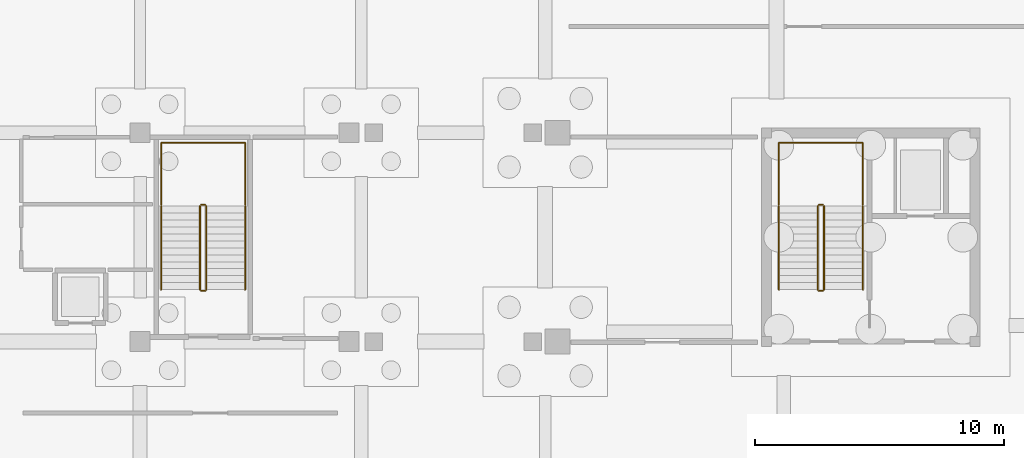
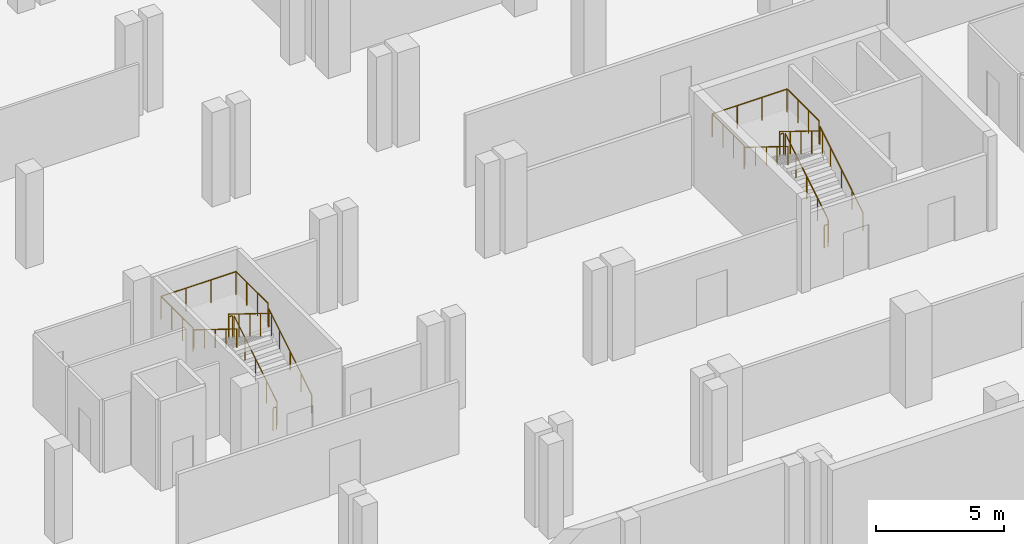
# One storey, part 15 of 17: 14 railings.
"""IFC4 building model written with IfcOpenShell, lengths in metres."""

import ifcopenshell
import ifcopenshell.guid

model = None  # the IFC model being written
_history = None  # IfcOwnerHistory: only IFC2X3 demands one
_inside = {}  # id of a spatial element -> (the spatial element, [elements in it])
_under = {}  # id of a project, library or spatial element -> (it, [spatial elements below it])
_declared = {}  # id of a project -> (the project, [libraries it declares])
_typed = {}  # id of a type object -> (the type object, [elements of that type])
_made_of = {}  # id of a material, layer set ... -> (it, [elements and type objects made of it])


def new_model(schema):
    """Start an empty IFC model of exactly this schema.

    Asked for "IFC4X3", IfcOpenShell would pick the latest addendum, in which some entities
    have other attributes; the version numbers below select the first issue.
    IFC2X3 requires an IfcOwnerHistory on every rooted entity: one is made here for all.
    """
    global model, _history
    if schema == "IFC4X3":
        model = ifcopenshell.file(schema_version=(4, 3, 0, 0))
    else:
        model = ifcopenshell.file(schema=schema)
    _inside.clear()
    _under.clear()
    _declared.clear()
    _typed.clear()
    _made_of.clear()
    _history = None
    if model.schema == "IFC2X3":
        org = make("IfcOrganization", Name="unknown")
        user = make(
            "IfcPersonAndOrganization",
            ThePerson=make("IfcPerson", FamilyName="unknown"),
            TheOrganization=org,
        )
        app = make(
            "IfcApplication",
            ApplicationDeveloper=org,
            Version="unknown",
            ApplicationFullName="unknown",
            ApplicationIdentifier="unknown",
        )
        _history = make(
            "IfcOwnerHistory",
            OwningUser=user,
            OwningApplication=app,
            ChangeAction="ADDED",
            CreationDate=0,
        )
    return model


def make(cls, **values):
    """One entity of the class cls with the attributes given. An attribute that is None is left unset."""
    return model.create_entity(
        cls, **{name: value for name, value in values.items() if value is not None}
    )


def rooted(cls, **values):
    """An entity with a GlobalId (a new one), such as an element, a storey or a relation."""
    return make(cls, GlobalId=ifcopenshell.guid.new(), OwnerHistory=_history, **values)


def si_unit(unit_type, name, prefix=None):
    """IfcSIUnit, for example si_unit("LENGTHUNIT", "METRE", prefix="MILLI")."""
    return make("IfcSIUnit", UnitType=unit_type, Prefix=prefix, Name=name)


def assignment(units):
    """IfcUnitAssignment: the units of a project."""
    return None if units is None else make("IfcUnitAssignment", Units=units)


def point(xyz):
    """IfcCartesianPoint."""
    return None if xyz is None else make("IfcCartesianPoint", Coordinates=xyz)


def direction(xyz):
    """IfcDirection."""
    return None if xyz is None else make("IfcDirection", DirectionRatios=xyz)


def frame(location, z_axis=None, x_axis=None):
    """IfcAxis2Placement3D, a coordinate frame: its origin and axes. An axis left out is left unset."""
    return make(
        "IfcAxis2Placement3D",
        Location=point(location),
        Axis=direction(z_axis),
        RefDirection=direction(x_axis),
    )


def frame_2d(location, x_axis=None):
    """IfcAxis2Placement2D, a coordinate frame in the plane: its origin and x axis."""
    return make(
        "IfcAxis2Placement2D", Location=point(location), RefDirection=direction(x_axis)
    )


def origin():
    """The frame at (0, 0, 0) with its axes left unset."""
    return frame((0.0, 0.0, 0.0))


def origin_2d():
    """The frame at (0, 0) in the plane with its x axis left unset."""
    return frame_2d((0.0, 0.0))


def place(relative_to, where):
    """IfcLocalPlacement: puts the frame where relative to a parent placement (None: the world)."""
    return make(
        "IfcLocalPlacement", PlacementRelTo=relative_to, RelativePlacement=where
    )


def context(
    kind, dimensions, precision=None, world=None, true_north=None, identifier=None
):
    """IfcGeometricRepresentationContext, for example the 3D "Model" context."""
    return make(
        "IfcGeometricRepresentationContext",
        ContextIdentifier=identifier,
        ContextType=kind,
        CoordinateSpaceDimension=dimensions,
        Precision=precision,
        WorldCoordinateSystem=world,
        TrueNorth=true_north,
    )


def subcontext(parent, identifier, kind, view, scale=None):
    """IfcGeometricRepresentationSubContext, for example "Body" below "Model"."""
    return make(
        "IfcGeometricRepresentationSubContext",
        ContextIdentifier=identifier,
        ContextType=kind,
        ParentContext=parent,
        TargetScale=scale,
        TargetView=view,
    )


def project(units=None, contexts=None):
    """IfcProject with its units and contexts."""
    return rooted(
        "IfcProject",
        Name="project",
        RepresentationContexts=contexts,
        UnitsInContext=assignment(units),
    )


def spatial(cls, under=None, at=None, **own):
    """A site, building, storey or space (cls), placed at a placement, below another one or the project."""
    s = rooted(cls, ObjectPlacement=at, **own)
    if under is not None:
        _under.setdefault(under.id(), (under, []))[1].append(s)
    return s


def profile(cls, at=None, kind="AREA", **sizes):
    """A parametric profile (cls). Its sizes go by their IFC names, for example OverallWidth=200.0."""
    return make(cls, ProfileType=kind, Position=at, **sizes)


def circle(**sizes):
    """IfcCircleProfileDef."""
    return profile("IfcCircleProfileDef", **sizes)


def extrude(swept, where, along, depth):
    """IfcExtrudedAreaSolid: the profile swept, set in the frame where, extruded along a direction by depth."""
    return make(
        "IfcExtrudedAreaSolid",
        SweptArea=swept,
        Position=where,
        ExtrudedDirection=direction(along),
        Depth=depth,
    )


def shape(context_of_items, identifier, shape_type, items):
    """IfcShapeRepresentation: the items that make up one representation, for example the "Body"."""
    return make(
        "IfcShapeRepresentation",
        ContextOfItems=context_of_items,
        RepresentationIdentifier=identifier,
        RepresentationType=shape_type,
        Items=items,
    )


def material(Name=None, Category=None):
    """IfcMaterial."""
    return make("IfcMaterial", Name=Name, Category=Category)


def made_of(thing, what):
    """Note that an element or type object is made of a material, layer set ...; save() writes the relation."""
    if what is not None:
        _made_of.setdefault(what.id(), (what, []))[1].append(thing)
    return thing


def type_object(cls, material=None, **own):
    """A type object (cls), such as IfcWallType, which elements share."""
    return made_of(rooted(cls, **own), material)


def element(
    cls,
    number,
    at=None,
    inside=None,
    cuts=None,
    type_object=None,
    material=None,
    context=None,
    identifier="Body",
    shape_type=None,
    held_by="IfcProductDefinitionShape",
    body=None,
    shapes=None,
    **own,
):
    """One element of the class cls, such as IfcWall. Its Tag is "e" and its number.

    at: its placement. inside: the storey or other place that contains it. cuts: it is an
    opening in that element (IfcRelVoidsElement). A single representation is given by context,
    identifier, shape_type and body (its items); several are given by shapes. held_by: the class
    of the entity that holds the representations. save() writes the other relations.
    """
    e = rooted(cls, Tag="e%d" % number, ObjectPlacement=at, **own)
    if body is not None:
        shapes = [shape(context, identifier, shape_type, body)]
    if shapes is not None:
        e.Representation = make(held_by, Representations=shapes)
    if inside is not None:
        _inside.setdefault(inside.id(), (inside, []))[1].append(e)
    if cuts is not None:
        rooted(
            "IfcRelVoidsElement", RelatingBuildingElement=cuts, RelatedOpeningElement=e
        )
    if type_object is not None:
        _typed.setdefault(type_object.id(), (type_object, []))[1].append(e)
    return made_of(e, material)


def aggregate(whole, parts):
    """IfcRelAggregates: a whole, such as a stair, and the parts it consists of."""
    return rooted("IfcRelAggregates", RelatingObject=whole, RelatedObjects=parts)


def save(model, path):
    """Write the relations noted so far, then the file.

    IfcRelAggregates (storeys below a building ...), IfcRelContainedInSpatialStructure (elements
    in a storey), IfcRelDefinesByType, IfcRelAssociatesMaterial and IfcRelDeclares: one each for
    every whole, place, type object, material and project.
    """
    for whole, parts in _under.values():
        aggregate(whole, parts)
    for where, things in _inside.values():
        rooted(
            "IfcRelContainedInSpatialStructure",
            RelatedElements=things,
            RelatingStructure=where,
        )
    for kind, things in _typed.values():
        rooted("IfcRelDefinesByType", RelatedObjects=things, RelatingType=kind)
    for what, things in _made_of.values():
        rooted("IfcRelAssociatesMaterial", RelatedObjects=things, RelatingMaterial=what)
    for by, libraries in _declared.values():
        rooted("IfcRelDeclares", RelatingContext=by, RelatedDefinitions=libraries)
    model.write(path)


model = new_model("IFC4")

# Units and contexts
model_context = context("Model", 3, precision=1e-05, world=origin(), true_north=direction((0.0, 1.0)))
body_context = subcontext(model_context, "Body", "Model", "MODEL_VIEW")
ifc_project = project(units=[si_unit("LENGTHUNIT", "METRE"), si_unit("AREAUNIT", "SQUARE_METRE"), si_unit("VOLUMEUNIT", "CUBIC_METRE"), si_unit("PLANEANGLEUNIT", "RADIAN"), si_unit("MASSUNIT", "GRAM", prefix="KILO")], contexts=[model_context])

# Site, building, storey
site_placement = place(None, origin())
site = spatial("IfcSite", under=ifc_project, at=site_placement, CompositionType="ELEMENT")
building_placement = place(site_placement, origin())
building = spatial("IfcBuilding", under=site, at=building_placement, Name="Telukmera Botanical Conservatory", CompositionType="ELEMENT")
storey_placement = place(building_placement, frame((0.0, 0.0, -4.5)))
storey = spatial("IfcBuildingStorey", under=building, at=storey_placement, Name="B1", CompositionType="ELEMENT", Elevation=-4.5)

# Railings
ifc_material_1 = material(Name="Steel S355", Category="steel")
railing_type_1 = type_object("IfcRailingType", Name="RL-GUARD-1100", PredefinedType="GUARDRAIL", material=ifc_material_1)
railing_1_placement = place(storey_placement, frame((61.1201171875, 28.090087890625, 0.173095703125)))
element("IfcRailing", 1, at=railing_1_placement, inside=storey, type_object=railing_type_1, Name="B1 ST1 stair guard 1", PredefinedType="GUARDRAIL", context=body_context, shape_type="SweptSolid", body=[
    extrude(circle(Radius=0.02392578125, at=origin_2d()), frame((0.0, 0.0, 1.076171875), z_axis=(0.0, 0.850606129759, 0.525803396734), x_axis=(-1.0, 0.0, 0.0)), (0.0, 0.0, 1.0), 3.949951171875),
    extrude(circle(Radius=0.02099609375, at=origin_2d()), origin(), (0.0, 0.0, 1.0), 1.052001953125),
    extrude(circle(Radius=0.02099609375, at=origin_2d()), frame((0.0, 0.83984375, 0.519287109375)), (0.0, 0.0, 1.0), 1.052001953125),
    extrude(circle(Radius=0.02099609375, at=origin_2d()), frame((0.0, 1.679931640625, 1.03857421875)), (0.0, 0.0, 1.0), 1.052001953125),
    extrude(circle(Radius=0.02099609375, at=origin_2d()), frame((0.0, 2.52001953125, 1.5576171875)), (0.0, 0.0, 1.0), 1.052001953125),
    extrude(circle(Radius=0.02099609375, at=origin_2d()), frame((0.0, 3.35986328125, 2.076904296875)), (0.0, 0.0, 1.0), 1.052001953125),
])
railing_2_placement = place(storey_placement, frame((61.070068359375, 31.5, 2.25)))
element("IfcRailing", 2, at=railing_2_placement, inside=storey, type_object=railing_type_1, Name="B1 ST1 stair guard 2", PredefinedType="GUARDRAIL", context=body_context, shape_type="SweptSolid", body=[
    extrude(circle(Radius=0.02392578125, at=origin_2d()), frame((0.0, 0.0, 1.076171875), z_axis=(-1.0, 0.0, 0.0), x_axis=(0.0, -1.0, 0.0)), (0.0, 0.0, 1.0), 0.16015625),
    extrude(circle(Radius=0.02099609375, at=origin_2d()), origin(), (0.0, 0.0, 1.0), 1.052001953125),
    extrude(circle(Radius=0.02099609375, at=origin_2d()), frame((-0.16015625, 0.0, 0.0)), (0.0, 0.0, 1.0), 1.052001953125),
])
railing_3_placement = place(storey_placement, frame((60.860107421875, 31.449951171875, 2.423095703125)))
element("IfcRailing", 3, at=railing_3_placement, inside=storey, type_object=railing_type_1, Name="B1 ST1 stair guard 3", PredefinedType="GUARDRAIL", context=body_context, shape_type="SweptSolid", body=[
    extrude(circle(Radius=0.02392578125, at=origin_2d()), frame((0.0, 0.0, 1.076171875), z_axis=(0.0, -0.850606129759, 0.525803396734), x_axis=(1.0, 0.0, 0.0)), (0.0, 0.0, 1.0), 3.949951171875),
    extrude(circle(Radius=0.02099609375, at=origin_2d()), origin(), (0.0, 0.0, 1.0), 1.052001953125),
    extrude(circle(Radius=0.02099609375, at=origin_2d()), frame((0.0, -0.83984375, 0.519287109375)), (0.0, 0.0, 1.0), 1.052001953125),
    extrude(circle(Radius=0.02099609375, at=origin_2d()), frame((0.0, -1.679931640625, 1.03857421875)), (0.0, 0.0, 1.0), 1.052001953125),
    extrude(circle(Radius=0.02099609375, at=origin_2d()), frame((0.0, -2.52001953125, 1.5576171875)), (0.0, 0.0, 1.0), 1.052001953125),
    extrude(circle(Radius=0.02099609375, at=origin_2d()), frame((0.0, -3.35986328125, 2.076904296875)), (0.0, 0.0, 1.0), 1.052001953125),
])
railing_4_placement = place(storey_placement, frame((61.070068359375, 28.0400390625, 0.0)))
element("IfcRailing", 4, at=railing_4_placement, inside=storey, type_object=railing_type_1, Name="B1 ST1 stair guard 4", PredefinedType="GUARDRAIL", context=body_context, shape_type="SweptSolid", body=[
    extrude(circle(Radius=0.02392578125, at=origin_2d()), frame((0.0, 0.0, 1.076171875), z_axis=(-1.0, 0.0, 0.0), x_axis=(0.0, -1.0, 0.0)), (0.0, 0.0, 1.0), 0.16015625),
    extrude(circle(Radius=0.02099609375, at=origin_2d()), origin(), (0.0, 0.0, 1.0), 1.052001953125),
    extrude(circle(Radius=0.02099609375, at=origin_2d()), frame((-0.16015625, 0.0, 0.0)), (0.0, 0.0, 1.0), 1.052001953125),
])
railing_5_placement = place(storey_placement, frame((62.679931640625, 31.5, 2.25)))
element("IfcRailing", 5, at=railing_5_placement, inside=storey, type_object=railing_type_1, Name="B1 ST1 half-landing perimeter guard 1", PredefinedType="GUARDRAIL", context=body_context, shape_type="SweptSolid", body=[
    extrude(circle(Radius=0.02392578125, at=origin_2d()), frame((0.0, 0.0, 1.09619140625), z_axis=(0.0, 1.0, 0.0), x_axis=(-1.0, 0.0, 0.0)), (0.0, 0.0, 1.0), 2.5),
    extrude(circle(Radius=0.02392578125, at=origin_2d()), frame((0.0, 2.5, 1.09619140625), z_axis=(-1.0, 0.0, 0.0), x_axis=(0.0, -1.0, 0.0)), (0.0, 0.0, 1.0), 3.3798828125),
    extrude(circle(Radius=0.02392578125, at=origin_2d()), frame((-3.3798828125, 2.5, 1.09619140625), z_axis=(0.0, -1.0, 0.0), x_axis=(1.0, 0.0, 0.0)), (0.0, 0.0, 1.0), 2.5),
    extrude(circle(Radius=0.02099609375, at=origin_2d()), origin(), (0.0, 0.0, 1.0), 1.072021484375),
    extrude(circle(Radius=0.02099609375, at=origin_2d()), frame((0.0, 0.833251953125, 0.0)), (0.0, 0.0, 1.0), 1.072021484375),
    extrude(circle(Radius=0.02099609375, at=origin_2d()), frame((0.0, 1.666748046875, 0.0)), (0.0, 0.0, 1.0), 1.072021484375),
    extrude(circle(Radius=0.02099609375, at=origin_2d()), frame((0.0, 2.5, 0.0)), (0.0, 0.0, 1.0), 1.072021484375),
    extrude(circle(Radius=0.02099609375, at=origin_2d()), frame((-1.126708984375, 2.5, 0.0)), (0.0, 0.0, 1.0), 1.072021484375),
    extrude(circle(Radius=0.02099609375, at=origin_2d()), frame((-2.253173828125, 2.5, 0.0)), (0.0, 0.0, 1.0), 1.072021484375),
    extrude(circle(Radius=0.02099609375, at=origin_2d()), frame((-3.3798828125, 2.5, 0.0)), (0.0, 0.0, 1.0), 1.072021484375),
    extrude(circle(Radius=0.02099609375, at=origin_2d()), frame((-3.3798828125, 1.666748046875, 0.0)), (0.0, 0.0, 1.0), 1.072021484375),
    extrude(circle(Radius=0.02099609375, at=origin_2d()), frame((-3.3798828125, 0.833251953125, 0.0)), (0.0, 0.0, 1.0), 1.072021484375),
    extrude(circle(Radius=0.02099609375, at=origin_2d()), frame((-3.3798828125, 0.0, 0.0)), (0.0, 0.0, 1.0), 1.072021484375),
])
railing_6_placement = place(storey_placement, frame((36.27001953125, 28.090087890625, 0.173095703125)))
element("IfcRailing", 6, at=railing_6_placement, inside=storey, type_object=railing_type_1, Name="B1 ST3 stair guard 1", PredefinedType="GUARDRAIL", context=body_context, shape_type="SweptSolid", body=[
    extrude(circle(Radius=0.02392578125, at=origin_2d()), frame((0.0, 0.0, 1.076171875), z_axis=(0.0, 0.850606129759, 0.525803396734), x_axis=(-1.0, 0.0, 0.0)), (0.0, 0.0, 1.0), 3.949951171875),
    extrude(circle(Radius=0.02099609375, at=origin_2d()), origin(), (0.0, 0.0, 1.0), 1.052001953125),
    extrude(circle(Radius=0.02099609375, at=origin_2d()), frame((0.0, 0.83984375, 0.519287109375)), (0.0, 0.0, 1.0), 1.052001953125),
    extrude(circle(Radius=0.02099609375, at=origin_2d()), frame((0.0, 1.679931640625, 1.03857421875)), (0.0, 0.0, 1.0), 1.052001953125),
    extrude(circle(Radius=0.02099609375, at=origin_2d()), frame((0.0, 2.52001953125, 1.5576171875)), (0.0, 0.0, 1.0), 1.052001953125),
    extrude(circle(Radius=0.02099609375, at=origin_2d()), frame((0.0, 3.35986328125, 2.076904296875)), (0.0, 0.0, 1.0), 1.052001953125),
])
railing_7_placement = place(storey_placement, frame((36.219970703125, 31.5, 2.25)))
element("IfcRailing", 7, at=railing_7_placement, inside=storey, type_object=railing_type_1, Name="B1 ST3 stair guard 2", PredefinedType="GUARDRAIL", context=body_context, shape_type="SweptSolid", body=[
    extrude(circle(Radius=0.02392578125, at=origin_2d()), frame((0.0, 0.0, 1.076171875), z_axis=(-1.0, 0.0, 0.0), x_axis=(0.0, -1.0, 0.0)), (0.0, 0.0, 1.0), 0.159912109375),
    extrude(circle(Radius=0.02099609375, at=origin_2d()), origin(), (0.0, 0.0, 1.0), 1.052001953125),
    extrude(circle(Radius=0.02099609375, at=origin_2d()), frame((-0.159912109375, 0.0, 0.0)), (0.0, 0.0, 1.0), 1.052001953125),
])
railing_8_placement = place(storey_placement, frame((36.010009765625, 31.449951171875, 2.423095703125)))
element("IfcRailing", 8, at=railing_8_placement, inside=storey, type_object=railing_type_1, Name="B1 ST3 stair guard 3", PredefinedType="GUARDRAIL", context=body_context, shape_type="SweptSolid", body=[
    extrude(circle(Radius=0.02392578125, at=origin_2d()), frame((0.0, 0.0, 1.076171875), z_axis=(0.0, -0.850606129759, 0.525803396734), x_axis=(1.0, 0.0, 0.0)), (0.0, 0.0, 1.0), 3.949951171875),
    extrude(circle(Radius=0.02099609375, at=origin_2d()), origin(), (0.0, 0.0, 1.0), 1.052001953125),
    extrude(circle(Radius=0.02099609375, at=origin_2d()), frame((0.0, -0.83984375, 0.519287109375)), (0.0, 0.0, 1.0), 1.052001953125),
    extrude(circle(Radius=0.02099609375, at=origin_2d()), frame((0.0, -1.679931640625, 1.03857421875)), (0.0, 0.0, 1.0), 1.052001953125),
    extrude(circle(Radius=0.02099609375, at=origin_2d()), frame((0.0, -2.52001953125, 1.5576171875)), (0.0, 0.0, 1.0), 1.052001953125),
    extrude(circle(Radius=0.02099609375, at=origin_2d()), frame((0.0, -3.35986328125, 2.076904296875)), (0.0, 0.0, 1.0), 1.052001953125),
])
railing_9_placement = place(storey_placement, frame((36.219970703125, 28.0400390625, 0.0)))
element("IfcRailing", 9, at=railing_9_placement, inside=storey, type_object=railing_type_1, Name="B1 ST3 stair guard 4", PredefinedType="GUARDRAIL", context=body_context, shape_type="SweptSolid", body=[
    extrude(circle(Radius=0.02392578125, at=origin_2d()), frame((0.0, 0.0, 1.076171875), z_axis=(-1.0, 0.0, 0.0), x_axis=(0.0, -1.0, 0.0)), (0.0, 0.0, 1.0), 0.159912109375),
    extrude(circle(Radius=0.02099609375, at=origin_2d()), origin(), (0.0, 0.0, 1.0), 1.052001953125),
    extrude(circle(Radius=0.02099609375, at=origin_2d()), frame((-0.159912109375, 0.0, 0.0)), (0.0, 0.0, 1.0), 1.052001953125),
])
railing_10_placement = place(storey_placement, frame((37.830078125, 31.5, 2.25)))
element("IfcRailing", 10, at=railing_10_placement, inside=storey, type_object=railing_type_1, Name="B1 ST3 half-landing perimeter guard 1", PredefinedType="GUARDRAIL", context=body_context, shape_type="SweptSolid", body=[
    extrude(circle(Radius=0.02392578125, at=origin_2d()), frame((0.0, 0.0, 1.09619140625), z_axis=(0.0, 1.0, 0.0), x_axis=(-1.0, 0.0, 0.0)), (0.0, 0.0, 1.0), 2.5),
    extrude(circle(Radius=0.02392578125, at=origin_2d()), frame((0.0, 2.5, 1.09619140625), z_axis=(-1.0, 0.0, 0.0), x_axis=(0.0, -1.0, 0.0)), (0.0, 0.0, 1.0), 3.380126953125),
    extrude(circle(Radius=0.02392578125, at=origin_2d()), frame((-3.380126953125, 2.5, 1.09619140625), z_axis=(0.0, -1.0, 0.0), x_axis=(1.0, 0.0, 0.0)), (0.0, 0.0, 1.0), 2.5),
    extrude(circle(Radius=0.02099609375, at=origin_2d()), origin(), (0.0, 0.0, 1.0), 1.072021484375),
    extrude(circle(Radius=0.02099609375, at=origin_2d()), frame((0.0, 0.833251953125, 0.0)), (0.0, 0.0, 1.0), 1.072021484375),
    extrude(circle(Radius=0.02099609375, at=origin_2d()), frame((0.0, 1.666748046875, 0.0)), (0.0, 0.0, 1.0), 1.072021484375),
    extrude(circle(Radius=0.02099609375, at=origin_2d()), frame((0.0, 2.5, 0.0)), (0.0, 0.0, 1.0), 1.072021484375),
    extrude(circle(Radius=0.02099609375, at=origin_2d()), frame((-1.126708984375, 2.5, 0.0)), (0.0, 0.0, 1.0), 1.072021484375),
    extrude(circle(Radius=0.02099609375, at=origin_2d()), frame((-2.25341796875, 2.5, 0.0)), (0.0, 0.0, 1.0), 1.072021484375),
    extrude(circle(Radius=0.02099609375, at=origin_2d()), frame((-3.380126953125, 2.5, 0.0)), (0.0, 0.0, 1.0), 1.072021484375),
    extrude(circle(Radius=0.02099609375, at=origin_2d()), frame((-3.380126953125, 1.666748046875, 0.0)), (0.0, 0.0, 1.0), 1.072021484375),
    extrude(circle(Radius=0.02099609375, at=origin_2d()), frame((-3.380126953125, 0.833251953125, 0.0)), (0.0, 0.0, 1.0), 1.072021484375),
    extrude(circle(Radius=0.02099609375, at=origin_2d()), frame((-3.380126953125, 0.0, 0.0)), (0.0, 0.0, 1.0), 1.072021484375),
])
ifc_material_2 = material(Name="Stainless steel 316", Category="steel")
railing_type_2 = type_object("IfcRailingType", Name="RL-HAND-900", PredefinedType="HANDRAIL", material=ifc_material_2)
railing_11_placement = place(storey_placement, frame((62.679931640625, 28.090087890625, 0.173095703125)))
element("IfcRailing", 11, at=railing_11_placement, inside=storey, type_object=railing_type_2, Name="B1 ST1 stair handrail 1", PredefinedType="HANDRAIL", context=body_context, shape_type="SweptSolid", body=[
    extrude(circle(Radius=0.02392578125, at=origin_2d()), frame((0.0, 0.0, 0.8759765625), z_axis=(0.0, 0.850606129759, 0.525803396734), x_axis=(-1.0, 0.0, 0.0)), (0.0, 0.0, 1.0), 3.949951171875),
    extrude(circle(Radius=0.02099609375, at=origin_2d()), origin(), (0.0, 0.0, 1.0), 0.851806640625),
    extrude(circle(Radius=0.02099609375, at=origin_2d()), frame((0.0, 0.83984375, 0.519287109375)), (0.0, 0.0, 1.0), 0.851806640625),
    extrude(circle(Radius=0.02099609375, at=origin_2d()), frame((0.0, 1.679931640625, 1.03857421875)), (0.0, 0.0, 1.0), 0.851806640625),
    extrude(circle(Radius=0.02099609375, at=origin_2d()), frame((0.0, 2.52001953125, 1.5576171875)), (0.0, 0.0, 1.0), 0.851806640625),
    extrude(circle(Radius=0.02099609375, at=origin_2d()), frame((0.0, 3.35986328125, 2.076904296875)), (0.0, 0.0, 1.0), 0.851806640625),
])
railing_12_placement = place(storey_placement, frame((59.300048828125, 31.449951171875, 2.423095703125)))
element("IfcRailing", 12, at=railing_12_placement, inside=storey, type_object=railing_type_2, Name="B1 ST1 stair handrail 2", PredefinedType="HANDRAIL", context=body_context, shape_type="SweptSolid", body=[
    extrude(circle(Radius=0.02392578125, at=origin_2d()), frame((0.0, 0.0, 0.8759765625), z_axis=(0.0, -0.850606129759, 0.525803396734), x_axis=(1.0, 0.0, 0.0)), (0.0, 0.0, 1.0), 3.949951171875),
    extrude(circle(Radius=0.02099609375, at=origin_2d()), origin(), (0.0, 0.0, 1.0), 0.851806640625),
    extrude(circle(Radius=0.02099609375, at=origin_2d()), frame((0.0, -0.83984375, 0.519287109375)), (0.0, 0.0, 1.0), 0.851806640625),
    extrude(circle(Radius=0.02099609375, at=origin_2d()), frame((0.0, -1.679931640625, 1.03857421875)), (0.0, 0.0, 1.0), 0.851806640625),
    extrude(circle(Radius=0.02099609375, at=origin_2d()), frame((0.0, -2.52001953125, 1.5576171875)), (0.0, 0.0, 1.0), 0.851806640625),
    extrude(circle(Radius=0.02099609375, at=origin_2d()), frame((0.0, -3.35986328125, 2.076904296875)), (0.0, 0.0, 1.0), 0.851806640625),
])
railing_13_placement = place(storey_placement, frame((37.830078125, 28.090087890625, 0.173095703125)))
element("IfcRailing", 13, at=railing_13_placement, inside=storey, type_object=railing_type_2, Name="B1 ST3 stair handrail 1", PredefinedType="HANDRAIL", context=body_context, shape_type="SweptSolid", body=[
    extrude(circle(Radius=0.02392578125, at=origin_2d()), frame((0.0, 0.0, 0.8759765625), z_axis=(0.0, 0.850606129759, 0.525803396734), x_axis=(-1.0, 0.0, 0.0)), (0.0, 0.0, 1.0), 3.949951171875),
    extrude(circle(Radius=0.02099609375, at=origin_2d()), origin(), (0.0, 0.0, 1.0), 0.851806640625),
    extrude(circle(Radius=0.02099609375, at=origin_2d()), frame((0.0, 0.83984375, 0.519287109375)), (0.0, 0.0, 1.0), 0.851806640625),
    extrude(circle(Radius=0.02099609375, at=origin_2d()), frame((0.0, 1.679931640625, 1.03857421875)), (0.0, 0.0, 1.0), 0.851806640625),
    extrude(circle(Radius=0.02099609375, at=origin_2d()), frame((0.0, 2.52001953125, 1.5576171875)), (0.0, 0.0, 1.0), 0.851806640625),
    extrude(circle(Radius=0.02099609375, at=origin_2d()), frame((0.0, 3.35986328125, 2.076904296875)), (0.0, 0.0, 1.0), 0.851806640625),
])
railing_14_placement = place(storey_placement, frame((34.449951171875, 31.449951171875, 2.423095703125)))
element("IfcRailing", 14, at=railing_14_placement, inside=storey, type_object=railing_type_2, Name="B1 ST3 stair handrail 2", PredefinedType="HANDRAIL", context=body_context, shape_type="SweptSolid", body=[
    extrude(circle(Radius=0.02392578125, at=origin_2d()), frame((0.0, 0.0, 0.8759765625), z_axis=(0.0, -0.850606129759, 0.525803396734), x_axis=(1.0, 0.0, 0.0)), (0.0, 0.0, 1.0), 3.949951171875),
    extrude(circle(Radius=0.02099609375, at=origin_2d()), origin(), (0.0, 0.0, 1.0), 0.851806640625),
    extrude(circle(Radius=0.02099609375, at=origin_2d()), frame((0.0, -0.83984375, 0.519287109375)), (0.0, 0.0, 1.0), 0.851806640625),
    extrude(circle(Radius=0.02099609375, at=origin_2d()), frame((0.0, -1.679931640625, 1.03857421875)), (0.0, 0.0, 1.0), 0.851806640625),
    extrude(circle(Radius=0.02099609375, at=origin_2d()), frame((0.0, -2.52001953125, 1.5576171875)), (0.0, 0.0, 1.0), 0.851806640625),
    extrude(circle(Radius=0.02099609375, at=origin_2d()), frame((0.0, -3.35986328125, 2.076904296875)), (0.0, 0.0, 1.0), 0.851806640625),
])

save(model, "model.ifc")
